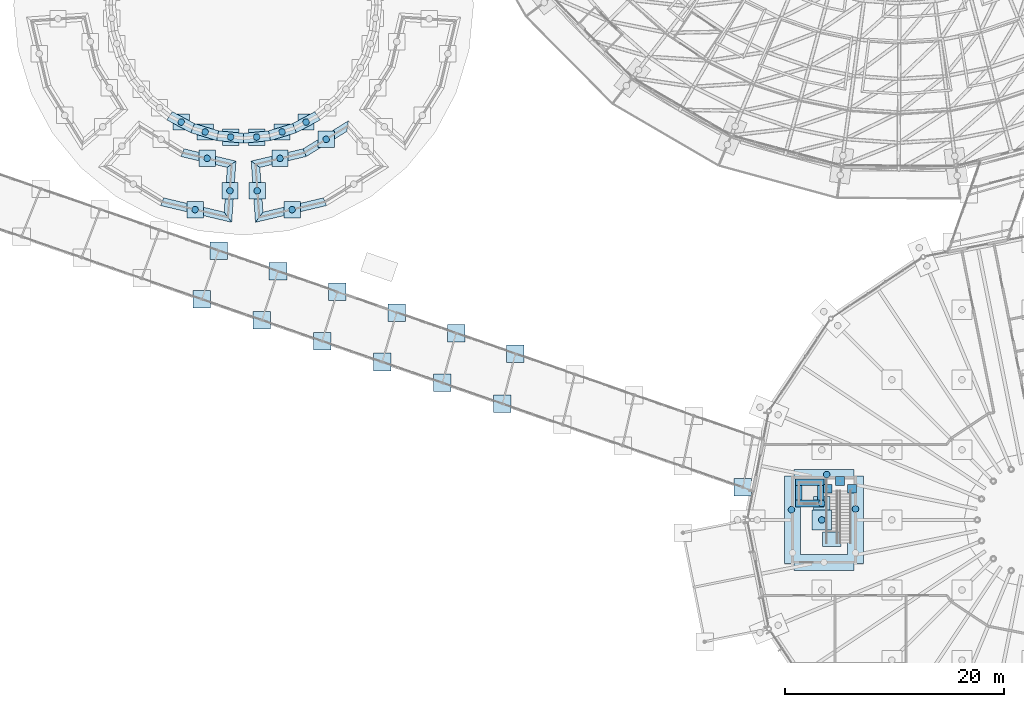
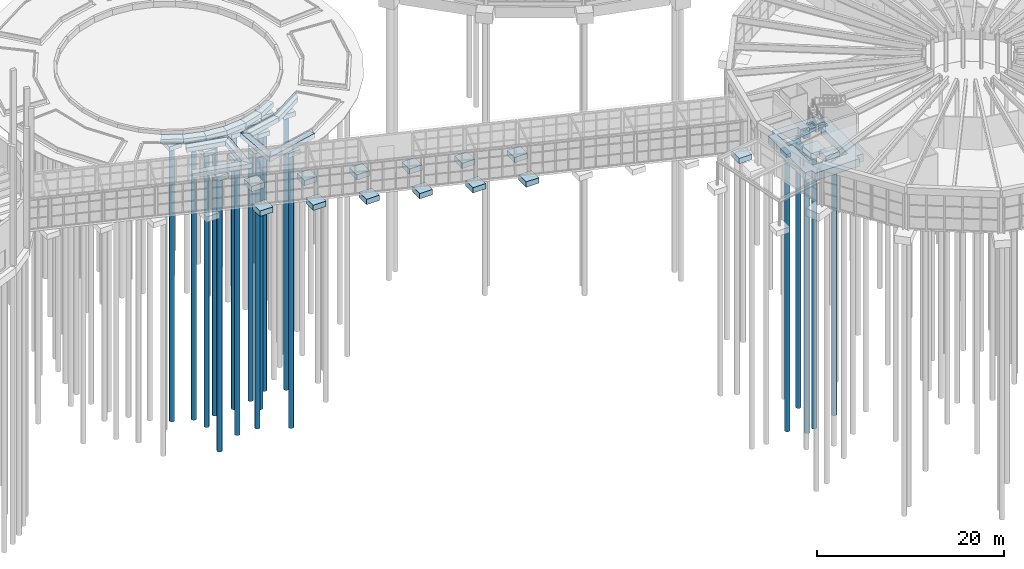
# One storey, part 2 of 226: 50 footings, 18 piles.
"""IFC4 building model written with IfcOpenShell, lengths in metres."""

import ifcopenshell
import ifcopenshell.guid

model = None  # the IFC model being written
_history = None  # IfcOwnerHistory: only IFC2X3 demands one
_inside = {}  # id of a spatial element -> (the spatial element, [elements in it])
_under = {}  # id of a project, library or spatial element -> (it, [spatial elements below it])
_declared = {}  # id of a project -> (the project, [libraries it declares])
_typed = {}  # id of a type object -> (the type object, [elements of that type])
_made_of = {}  # id of a material, layer set ... -> (it, [elements and type objects made of it])


def new_model(schema):
    """Start an empty IFC model of exactly this schema.

    Asked for "IFC4X3", IfcOpenShell would pick the latest addendum, in which some entities
    have other attributes; the version numbers below select the first issue.
    IFC2X3 requires an IfcOwnerHistory on every rooted entity: one is made here for all.
    """
    global model, _history
    if schema == "IFC4X3":
        model = ifcopenshell.file(schema_version=(4, 3, 0, 0))
    else:
        model = ifcopenshell.file(schema=schema)
    _inside.clear()
    _under.clear()
    _declared.clear()
    _typed.clear()
    _made_of.clear()
    _history = None
    if model.schema == "IFC2X3":
        org = make("IfcOrganization", Name="unknown")
        user = make(
            "IfcPersonAndOrganization",
            ThePerson=make("IfcPerson", FamilyName="unknown"),
            TheOrganization=org,
        )
        app = make(
            "IfcApplication",
            ApplicationDeveloper=org,
            Version="unknown",
            ApplicationFullName="unknown",
            ApplicationIdentifier="unknown",
        )
        _history = make(
            "IfcOwnerHistory",
            OwningUser=user,
            OwningApplication=app,
            ChangeAction="ADDED",
            CreationDate=0,
        )
    return model


def make(cls, **values):
    """One entity of the class cls with the attributes given. An attribute that is None is left unset."""
    return model.create_entity(
        cls, **{name: value for name, value in values.items() if value is not None}
    )


def rooted(cls, **values):
    """An entity with a GlobalId (a new one), such as an element, a storey or a relation."""
    return make(cls, GlobalId=ifcopenshell.guid.new(), OwnerHistory=_history, **values)


def si_unit(unit_type, name, prefix=None):
    """IfcSIUnit, for example si_unit("LENGTHUNIT", "METRE", prefix="MILLI")."""
    return make("IfcSIUnit", UnitType=unit_type, Prefix=prefix, Name=name)


def assignment(units):
    """IfcUnitAssignment: the units of a project."""
    return None if units is None else make("IfcUnitAssignment", Units=units)


def point(xyz):
    """IfcCartesianPoint."""
    return None if xyz is None else make("IfcCartesianPoint", Coordinates=xyz)


def direction(xyz):
    """IfcDirection."""
    return None if xyz is None else make("IfcDirection", DirectionRatios=xyz)


def frame(location, z_axis=None, x_axis=None):
    """IfcAxis2Placement3D, a coordinate frame: its origin and axes. An axis left out is left unset."""
    return make(
        "IfcAxis2Placement3D",
        Location=point(location),
        Axis=direction(z_axis),
        RefDirection=direction(x_axis),
    )


def frame_2d(location, x_axis=None):
    """IfcAxis2Placement2D, a coordinate frame in the plane: its origin and x axis."""
    return make(
        "IfcAxis2Placement2D", Location=point(location), RefDirection=direction(x_axis)
    )


def origin():
    """The frame at (0, 0, 0) with its axes left unset."""
    return frame((0.0, 0.0, 0.0))


def origin_2d():
    """The frame at (0, 0) in the plane with its x axis left unset."""
    return frame_2d((0.0, 0.0))


def place(relative_to, where):
    """IfcLocalPlacement: puts the frame where relative to a parent placement (None: the world)."""
    return make(
        "IfcLocalPlacement", PlacementRelTo=relative_to, RelativePlacement=where
    )


def context(
    kind, dimensions, precision=None, world=None, true_north=None, identifier=None
):
    """IfcGeometricRepresentationContext, for example the 3D "Model" context."""
    return make(
        "IfcGeometricRepresentationContext",
        ContextIdentifier=identifier,
        ContextType=kind,
        CoordinateSpaceDimension=dimensions,
        Precision=precision,
        WorldCoordinateSystem=world,
        TrueNorth=true_north,
    )


def subcontext(parent, identifier, kind, view, scale=None):
    """IfcGeometricRepresentationSubContext, for example "Body" below "Model"."""
    return make(
        "IfcGeometricRepresentationSubContext",
        ContextIdentifier=identifier,
        ContextType=kind,
        ParentContext=parent,
        TargetScale=scale,
        TargetView=view,
    )


def project(units=None, contexts=None):
    """IfcProject with its units and contexts."""
    return rooted(
        "IfcProject",
        Name="project",
        RepresentationContexts=contexts,
        UnitsInContext=assignment(units),
    )


def spatial(cls, under=None, at=None, **own):
    """A site, building, storey or space (cls), placed at a placement, below another one or the project."""
    s = rooted(cls, ObjectPlacement=at, **own)
    if under is not None:
        _under.setdefault(under.id(), (under, []))[1].append(s)
    return s


def polyline(points):
    """IfcPolyline through the points."""
    return make("IfcPolyline", Points=[point(p) for p in points])


def profile(cls, at=None, kind="AREA", **sizes):
    """A parametric profile (cls). Its sizes go by their IFC names, for example OverallWidth=200.0."""
    return make(cls, ProfileType=kind, Position=at, **sizes)


def circle(**sizes):
    """IfcCircleProfileDef."""
    return profile("IfcCircleProfileDef", **sizes)


def outline(outer, holes=None, kind="AREA"):
    """IfcArbitraryClosedProfileDef: a profile drawn as a closed curve; with holes, ...WithVoids."""
    if holes is None:
        return make("IfcArbitraryClosedProfileDef", ProfileType=kind, OuterCurve=outer)
    return make(
        "IfcArbitraryProfileDefWithVoids",
        ProfileType=kind,
        OuterCurve=outer,
        InnerCurves=holes,
    )


def extrude(swept, where, along, depth):
    """IfcExtrudedAreaSolid: the profile swept, set in the frame where, extruded along a direction by depth."""
    return make(
        "IfcExtrudedAreaSolid",
        SweptArea=swept,
        Position=where,
        ExtrudedDirection=direction(along),
        Depth=depth,
    )


def shape(context_of_items, identifier, shape_type, items):
    """IfcShapeRepresentation: the items that make up one representation, for example the "Body"."""
    return make(
        "IfcShapeRepresentation",
        ContextOfItems=context_of_items,
        RepresentationIdentifier=identifier,
        RepresentationType=shape_type,
        Items=items,
    )


def material(Name=None, Category=None):
    """IfcMaterial."""
    return make("IfcMaterial", Name=Name, Category=Category)


def layer(
    of_material, thickness, ventilated=None, Name=None, Category=None, Priority=None
):
    """IfcMaterialLayer: one layer of a wall or slab, of a material (None: an air gap)."""
    return make(
        "IfcMaterialLayer",
        Material=of_material,
        LayerThickness=thickness,
        IsVentilated=ventilated,
        Name=Name,
        Category=Category,
        Priority=Priority,
    )


def layer_set(layers, Name=None):
    """IfcMaterialLayerSet."""
    return make("IfcMaterialLayerSet", MaterialLayers=layers, LayerSetName=Name)


def material_profile(
    of_material, cross_section, Name=None, Category=None, Priority=None
):
    """IfcMaterialProfile: a cross section and its material."""
    return make(
        "IfcMaterialProfile",
        Name=Name,
        Material=of_material,
        Profile=cross_section,
        Priority=Priority,
        Category=Category,
    )


def profile_set(profiles, Name=None, composite=None):
    """IfcMaterialProfileSet."""
    return make(
        "IfcMaterialProfileSet",
        Name=Name,
        MaterialProfiles=profiles,
        CompositeProfile=composite,
    )


def made_of(thing, what):
    """Note that an element or type object is made of a material, layer set ...; save() writes the relation."""
    if what is not None:
        _made_of.setdefault(what.id(), (what, []))[1].append(thing)
    return thing


def type_object(cls, material=None, **own):
    """A type object (cls), such as IfcWallType, which elements share."""
    return made_of(rooted(cls, **own), material)


def element(
    cls,
    number,
    at=None,
    inside=None,
    cuts=None,
    type_object=None,
    material=None,
    context=None,
    identifier="Body",
    shape_type=None,
    held_by="IfcProductDefinitionShape",
    body=None,
    shapes=None,
    **own,
):
    """One element of the class cls, such as IfcWall. Its Tag is "e" and its number.

    at: its placement. inside: the storey or other place that contains it. cuts: it is an
    opening in that element (IfcRelVoidsElement). A single representation is given by context,
    identifier, shape_type and body (its items); several are given by shapes. held_by: the class
    of the entity that holds the representations. save() writes the other relations.
    """
    e = rooted(cls, Tag="e%d" % number, ObjectPlacement=at, **own)
    if body is not None:
        shapes = [shape(context, identifier, shape_type, body)]
    if shapes is not None:
        e.Representation = make(held_by, Representations=shapes)
    if inside is not None:
        _inside.setdefault(inside.id(), (inside, []))[1].append(e)
    if cuts is not None:
        rooted(
            "IfcRelVoidsElement", RelatingBuildingElement=cuts, RelatedOpeningElement=e
        )
    if type_object is not None:
        _typed.setdefault(type_object.id(), (type_object, []))[1].append(e)
    return made_of(e, material)


def aggregate(whole, parts):
    """IfcRelAggregates: a whole, such as a stair, and the parts it consists of."""
    return rooted("IfcRelAggregates", RelatingObject=whole, RelatedObjects=parts)


def save(model, path):
    """Write the relations noted so far, then the file.

    IfcRelAggregates (storeys below a building ...), IfcRelContainedInSpatialStructure (elements
    in a storey), IfcRelDefinesByType, IfcRelAssociatesMaterial and IfcRelDeclares: one each for
    every whole, place, type object, material and project.
    """
    for whole, parts in _under.values():
        aggregate(whole, parts)
    for where, things in _inside.values():
        rooted(
            "IfcRelContainedInSpatialStructure",
            RelatedElements=things,
            RelatingStructure=where,
        )
    for kind, things in _typed.values():
        rooted("IfcRelDefinesByType", RelatedObjects=things, RelatingType=kind)
    for what, things in _made_of.values():
        rooted("IfcRelAssociatesMaterial", RelatedObjects=things, RelatingMaterial=what)
    for by, libraries in _declared.values():
        rooted("IfcRelDeclares", RelatingContext=by, RelatedDefinitions=libraries)
    model.write(path)


model = new_model("IFC4")

# Units and contexts
model_context = context("Model", 3, precision=1e-05, world=origin(), true_north=direction((0.0, 1.0)))
body_context = subcontext(model_context, "Body", "Model", "MODEL_VIEW")
ifc_project = project(units=[si_unit("LENGTHUNIT", "METRE"), si_unit("AREAUNIT", "SQUARE_METRE"), si_unit("VOLUMEUNIT", "CUBIC_METRE"), si_unit("PLANEANGLEUNIT", "RADIAN"), si_unit("MASSUNIT", "GRAM", prefix="KILO")], contexts=[model_context])

# Site, building, storey
site_placement = place(None, origin())
site = spatial("IfcSite", under=ifc_project, at=site_placement, CompositionType="ELEMENT")
building_placement = place(site_placement, origin())
building = spatial("IfcBuilding", under=site, at=building_placement, Name="Ceibo Conservatory and Research Tower", CompositionType="ELEMENT")
storey_placement = place(building_placement, origin())
storey = spatial("IfcBuildingStorey", under=building, at=storey_placement, Name="L00", CompositionType="ELEMENT", Elevation=0.0)

# Piles
ifc_material_1 = material(Name="Concrete C35/45", Category="concrete")
ifc_material_profile = material_profile(ifc_material_1, circle(Radius=0.300048828125, at=origin_2d()), Name="RC D600")
ifc_profile_set = profile_set([ifc_material_profile], Name="Concrete C35/45")
pile_type = type_object("IfcPileType", Name="Bored pile D600", PredefinedType="BORED", material=ifc_profile_set)
for number, where, z_axis, x_axis, name in (
    (1, (148.800048828125, 36.0, -0.949951171875), (0.0, 0.0, -1.0), (1.0, 0.0, 0.0), "Pile VC.CAP.FLOOR.15 01"),
    (2, (151.875, 37.0, -0.89990234375), (0.0, 0.0, -1.0), (1.0, 0.0, 0.0), "Pile VC.STRIP.E.J 02"),
    (3, (146.029052734375, 36.9287109375, -0.89990234375), (0.0, 0.0, -1.0), (1.0, 0.0, 0.0), "Pile VC.STRIP.E.J 04"),
    (4, (149.242919921875, 40.139892578125, -0.89990234375), (0.0, 0.0, -1.0), (1.0, 0.0, 0.0), "Pile VC.STRIP.E.J 06"),
    (5, (90.2978515625, 72.33203125, -1.550048828125), (0.0, 0.0, -1.0), (1.0, 0.0, 0.0), "Pile CARRY.SITE.STRIP.COURT.BASIN.KERB.F22 01"),
    (6, (92.488525390625, 71.424560546875, -1.550048828125), (0.0, 0.0, -1.0), (1.0, 0.0, 0.0), "Pile CARRY.SITE.STRIP.COURT.BASIN.KERB.F23 01"),
    (7, (94.814453125, 70.9619140625, -1.550048828125), (0.0, 0.0, -1.0), (1.0, 0.0, 0.0), "Pile CARRY.SITE.STRIP.COURT.BASIN.KERB.F24 01"),
    (8, (97.185546875, 70.9619140625, -1.550048828125), (0.0, 0.0, -1.0), (1.0, 0.0, 0.0), "Pile CARRY.SITE.STRIP.COURT.BASIN.KERB.F25 01"),
    (9, (99.511474609375, 71.424560546875, -1.550048828125), (0.0, 0.0, -1.0), (1.0, 0.0, 0.0), "Pile CARRY.SITE.STRIP.COURT.BASIN.KERB.F26 01"),
    (10, (101.7021484375, 72.33203125, -1.550048828125), (0.0, 0.0, -1.0), (1.0, 0.0, 0.0), "Pile CARRY.SITE.STRIP.COURT.BASIN.KERB.F27 01"),
    (11, (91.571533203125, 64.336669921875, -1.10009765625), (0.0, 0.0, -1.0), (1.0, 0.0, 0.0), "Pile CARRY.SITE.STRIP.COURT.PB6.KERB.F03 01"),
    (12, (94.759521484375, 66.05419921875, -1.10009765625), (0.0, 0.0, -1.0), (1.0, 0.0, 0.0), "Pile CARRY.SITE.STRIP.COURT.PB6.KERB.F04 01"),
    (13, (92.670654296875, 69.01123046875, -1.10009765625), (0.0, 0.0, -1.0), (1.0, 0.0, 0.0), "Pile CARRY.SITE.STRIP.COURT.PB6.KERB.F05 01"),
    (14, (97.240478515625, 66.05419921875, -1.10009765625), (0.0, 0.0, -1.0), (1.0, 0.0, 0.0), "Pile CARRY.SITE.STRIP.COURT.PB7.KERB.F01 01"),
    (15, (100.428466796875, 64.336669921875, -1.10009765625), (0.0, 0.0, -1.0), (1.0, 0.0, 0.0), "Pile CARRY.SITE.STRIP.COURT.PB7.KERB.F02 01"),
    (16, (103.537353515625, 70.754150390625, -1.10009765625), (0.0, 0.0, -1.0), (1.0, 0.0, 0.0), "Pile CARRY.SITE.STRIP.COURT.PB7.KERB.F05 01"),
    (17, (99.329345703125, 69.01123046875, -1.10009765625), (0.0, 0.0, -1.0), (1.0, 0.0, 0.0), "Pile CARRY.SITE.STRIP.COURT.PB7.KERB.F06 01"),
    (18, (148.785888671875, 37.510009765625, -2.449951171875), (0.0, 0.0, -1.0), (1.0, 0.0, 0.0), "Pile CARRY.VC.LFT.L00.C3 01"),
):
    element("IfcPile", number, at=place(storey_placement, frame(where, z_axis=z_axis, x_axis=x_axis)), inside=storey, type_object=pile_type, Name=name, PredefinedType="BORED", context=body_context, shape_type="SweptSolid", body=[
        extrude(circle(Radius=0.300048828125, at=origin_2d()), origin(), (0.0, 0.0, 1.0), 36.0),
    ])

# Footings
ifc_material_2 = material(Name="Concrete C40/50", Category="concrete")
ifc_layer_1 = layer(ifc_material_2, 0.5)
ifc_layer_set_1 = layer_set([ifc_layer_1], Name="Concrete C40/50")
footing_type_1 = type_object("IfcFootingType", Name="Lift pit strip footing 500", PredefinedType="STRIP_FOOTING", material=ifc_layer_set_1)
footing_1_placement = place(storey_placement, frame((0.0, 0.0, -1.949951171875)))
element("IfcFooting", 19, at=footing_1_placement, inside=storey, type_object=footing_type_1, Name="Lift pit footing 1", PredefinedType="STRIP_FOOTING", context=body_context, shape_type="SweptSolid", body=[
    extrude(outline(polyline([(146.39990234375, 39.75), (146.39990234375, 39.14990234375), (149.0, 39.14990234375), (149.0, 39.75), (146.39990234375, 39.75)])), origin(), (0.0, 0.0, 1.0), 0.5),
])
footing_2_placement = place(storey_placement, frame((0.0, 0.0, -1.949951171875)))
element("IfcFooting", 20, at=footing_2_placement, inside=storey, type_object=footing_type_1, Name="Lift pit footing 2", PredefinedType="STRIP_FOOTING", context=body_context, shape_type="SweptSolid", body=[
    extrude(outline(polyline([(146.39990234375, 37.800048828125), (146.39990234375, 37.199951171875), (149.0, 37.199951171875), (149.0, 37.800048828125), (146.39990234375, 37.800048828125)])), origin(), (0.0, 0.0, 1.0), 0.5),
])
footing_3_placement = place(storey_placement, frame((0.0, 0.0, -1.949951171875)))
element("IfcFooting", 21, at=footing_3_placement, inside=storey, type_object=footing_type_1, Name="Lift pit footing 3", PredefinedType="STRIP_FOOTING", context=body_context, shape_type="SweptSolid", body=[
    extrude(outline(polyline([(146.39990234375, 39.14990234375), (146.39990234375, 37.800048828125), (147.0, 37.800048828125), (147.0, 39.14990234375), (146.39990234375, 39.14990234375)])), origin(), (0.0, 0.0, 1.0), 0.5),
])
footing_4_placement = place(storey_placement, frame((0.0, 0.0, -1.949951171875)))
element("IfcFooting", 22, at=footing_4_placement, inside=storey, type_object=footing_type_1, Name="Lift pit footing 4", PredefinedType="STRIP_FOOTING", context=body_context, shape_type="SweptSolid", body=[
    extrude(outline(polyline([(148.39990234375, 39.14990234375), (148.39990234375, 37.800048828125), (149.0, 37.800048828125), (149.0, 39.14990234375), (148.39990234375, 39.14990234375)])), origin(), (0.0, 0.0, 1.0), 0.5),
])
ifc_layer_2 = layer(ifc_material_2, 0.699951171875)
ifc_layer_set_2 = layer_set([ifc_layer_2], Name="Concrete C40/50")
footing_type_2 = type_object("IfcFootingType", Name="Pad footing 1600x1600x700", PredefinedType="PAD_FOOTING", material=ifc_layer_set_2)
footing_5_placement = place(storey_placement, frame((0.0, 0.0, -0.949951171875)))
element("IfcFooting", 23, at=footing_5_placement, inside=storey, type_object=footing_type_2, Name="Pad footing GAL.CAP.L00.AUD-VC.N05", PredefinedType="PAD_FOOTING", context=body_context, shape_type="SweptSolid", body=[
    extrude(outline(polyline([(92.922607421875, 59.78515625), (94.5224609375, 59.78515625), (94.5224609375, 61.38525390625), (92.922607421875, 61.38525390625), (92.922607421875, 59.78515625)])), origin(), (0.0, 0.0, 1.0), 0.699951171875),
])
footing_6_placement = place(storey_placement, frame((0.0, 0.0, -0.949951171875)))
element("IfcFooting", 24, at=footing_6_placement, inside=storey, type_object=footing_type_2, Name="Pad footing GAL.CAP.L00.AUD-VC.S05", PredefinedType="PAD_FOOTING", context=body_context, shape_type="SweptSolid", body=[
    extrude(outline(polyline([(91.387451171875, 55.343017578125), (92.987548828125, 55.343017578125), (92.987548828125, 56.943115234375), (91.387451171875, 56.943115234375), (91.387451171875, 55.343017578125)])), origin(), (0.0, 0.0, 1.0), 0.699951171875),
])
footing_7_placement = place(storey_placement, frame((0.0, 0.0, -0.949951171875)))
element("IfcFooting", 25, at=footing_7_placement, inside=storey, type_object=footing_type_2, Name="Pad footing GAL.CAP.L00.AUD-VC.N06", PredefinedType="PAD_FOOTING", context=body_context, shape_type="SweptSolid", body=[
    extrude(outline(polyline([(98.343017578125, 57.9013671875), (99.943115234375, 57.9013671875), (99.943115234375, 59.50146484375), (98.343017578125, 59.50146484375), (98.343017578125, 57.9013671875)])), origin(), (0.0, 0.0, 1.0), 0.699951171875),
])
footing_8_placement = place(storey_placement, frame((0.0, 0.0, -0.949951171875)))
element("IfcFooting", 26, at=footing_8_placement, inside=storey, type_object=footing_type_2, Name="Pad footing GAL.CAP.L00.AUD-VC.S06", PredefinedType="PAD_FOOTING", context=body_context, shape_type="SweptSolid", body=[
    extrude(outline(polyline([(96.875732421875, 53.435546875), (98.475830078125, 53.435546875), (98.475830078125, 55.03564453125), (96.875732421875, 55.03564453125), (96.875732421875, 53.435546875)])), origin(), (0.0, 0.0, 1.0), 0.699951171875),
])
footing_9_placement = place(storey_placement, frame((0.0, 0.0, -0.949951171875)))
element("IfcFooting", 27, at=footing_9_placement, inside=storey, type_object=footing_type_2, Name="Pad footing GAL.CAP.L00.AUD-VC.N07", PredefinedType="PAD_FOOTING", context=body_context, shape_type="SweptSolid", body=[
    extrude(outline(polyline([(103.763671875, 56.017578125), (105.36376953125, 56.017578125), (105.36376953125, 57.617431640625), (103.763671875, 57.617431640625), (103.763671875, 56.017578125)])), origin(), (0.0, 0.0, 1.0), 0.699951171875),
])
footing_10_placement = place(storey_placement, frame((0.0, 0.0, -0.949951171875)))
element("IfcFooting", 28, at=footing_10_placement, inside=storey, type_object=footing_type_2, Name="Pad footing GAL.CAP.L00.AUD-VC.S07", PredefinedType="PAD_FOOTING", context=body_context, shape_type="SweptSolid", body=[
    extrude(outline(polyline([(102.364013671875, 51.528076171875), (103.964111328125, 51.528076171875), (103.964111328125, 53.128173828125), (102.364013671875, 53.128173828125), (102.364013671875, 51.528076171875)])), origin(), (0.0, 0.0, 1.0), 0.699951171875),
])
footing_11_placement = place(storey_placement, frame((0.0, 0.0, -0.949951171875)))
element("IfcFooting", 29, at=footing_11_placement, inside=storey, type_object=footing_type_2, Name="Pad footing GAL.CAP.L00.AUD-VC.N08", PredefinedType="PAD_FOOTING", context=body_context, shape_type="SweptSolid", body=[
    extrude(outline(polyline([(109.184326171875, 54.133544921875), (110.7841796875, 54.133544921875), (110.7841796875, 55.733642578125), (109.184326171875, 55.733642578125), (109.184326171875, 54.133544921875)])), origin(), (0.0, 0.0, 1.0), 0.699951171875),
])
footing_12_placement = place(storey_placement, frame((0.0, 0.0, -0.949951171875)))
element("IfcFooting", 30, at=footing_12_placement, inside=storey, type_object=footing_type_2, Name="Pad footing GAL.CAP.L00.AUD-VC.S08", PredefinedType="PAD_FOOTING", context=body_context, shape_type="SweptSolid", body=[
    extrude(outline(polyline([(107.852294921875, 49.62060546875), (109.452392578125, 49.62060546875), (109.452392578125, 51.220703125), (107.852294921875, 51.220703125), (107.852294921875, 49.62060546875)])), origin(), (0.0, 0.0, 1.0), 0.699951171875),
])
footing_13_placement = place(storey_placement, frame((0.0, 0.0, -0.949951171875)))
element("IfcFooting", 31, at=footing_13_placement, inside=storey, type_object=footing_type_2, Name="Pad footing GAL.CAP.L00.AUD-VC.N09", PredefinedType="PAD_FOOTING", context=body_context, shape_type="SweptSolid", body=[
    extrude(outline(polyline([(114.60498046875, 52.249755859375), (116.204833984375, 52.249755859375), (116.204833984375, 53.849609375), (114.60498046875, 53.849609375), (114.60498046875, 52.249755859375)])), origin(), (0.0, 0.0, 1.0), 0.699951171875),
])
footing_14_placement = place(storey_placement, frame((0.0, 0.0, -0.949951171875)))
element("IfcFooting", 32, at=footing_14_placement, inside=storey, type_object=footing_type_2, Name="Pad footing GAL.CAP.L00.AUD-VC.S09", PredefinedType="PAD_FOOTING", context=body_context, shape_type="SweptSolid", body=[
    extrude(outline(polyline([(113.340576171875, 47.71337890625), (114.940673828125, 47.71337890625), (114.940673828125, 49.313232421875), (113.340576171875, 49.313232421875), (113.340576171875, 47.71337890625)])), origin(), (0.0, 0.0, 1.0), 0.699951171875),
])
footing_15_placement = place(storey_placement, frame((0.0, 0.0, -0.949951171875)))
element("IfcFooting", 33, at=footing_15_placement, inside=storey, type_object=footing_type_2, Name="Pad footing GAL.CAP.L00.AUD-VC.N10", PredefinedType="PAD_FOOTING", context=body_context, shape_type="SweptSolid", body=[
    extrude(outline(polyline([(120.025390625, 50.36572265625), (121.62548828125, 50.36572265625), (121.62548828125, 51.9658203125), (120.025390625, 51.9658203125), (120.025390625, 50.36572265625)])), origin(), (0.0, 0.0, 1.0), 0.699951171875),
])
footing_16_placement = place(storey_placement, frame((0.0, 0.0, -0.949951171875)))
element("IfcFooting", 34, at=footing_16_placement, inside=storey, type_object=footing_type_2, Name="Pad footing GAL.CAP.L00.AUD-VC.S10", PredefinedType="PAD_FOOTING", context=body_context, shape_type="SweptSolid", body=[
    extrude(outline(polyline([(118.828857421875, 45.805908203125), (120.428955078125, 45.805908203125), (120.428955078125, 47.40576171875), (118.828857421875, 47.40576171875), (118.828857421875, 45.805908203125)])), origin(), (0.0, 0.0, 1.0), 0.699951171875),
])
footing_17_placement = place(storey_placement, frame((0.0, 0.0, -0.949951171875)))
element("IfcFooting", 35, at=footing_17_placement, inside=storey, type_object=footing_type_2, Name="Pad footing GAL.CAP.L00.AUD-VC.S14", PredefinedType="PAD_FOOTING", context=body_context, shape_type="SweptSolid", body=[
    extrude(outline(polyline([(140.7822265625, 38.17626953125), (142.382080078125, 38.17626953125), (142.382080078125, 39.776123046875), (140.7822265625, 39.776123046875), (140.7822265625, 38.17626953125)])), origin(), (0.0, 0.0, 1.0), 0.699951171875),
])
footing_18_placement = place(storey_placement, frame((0.0, 0.0, -0.699951171875)))
element("IfcFooting", 36, at=footing_18_placement, inside=storey, type_object=footing_type_2, Name="Pad footing LATE.VC.STAIR.FOOT.1", PredefinedType="PAD_FOOTING", context=body_context, shape_type="SweptSolid", body=[
    extrude(outline(polyline([(150.550048828125, 33.579833984375), (150.550048828125, 34.8798828125), (148.85009765625, 34.8798828125), (148.85009765625, 33.579833984375), (150.550048828125, 33.579833984375)])), origin(), (0.0, 0.0, 1.0), 0.699951171875),
])
ifc_layer_3 = layer(ifc_material_2, 0.60009765625)
ifc_layer_set_3 = layer_set([ifc_layer_3], Name="Concrete C40/50")
footing_type_3 = type_object("IfcFootingType", Name="Pile cap 1500x1500x600", PredefinedType="PILE_CAP", material=ifc_layer_set_3)
footing_19_placement = place(storey_placement, frame((0.0, 0.0, -1.64990234375)))
element("IfcFooting", 37, at=footing_19_placement, inside=storey, type_object=footing_type_3, Name="Pile cap CARRY.SITE.STRIP.COURT.BASIN.KERB.F22", PredefinedType="PILE_CAP", context=body_context, shape_type="SweptSolid", body=[
    extrude(outline(polyline([(91.0478515625, 71.58203125), (91.0478515625, 73.08203125), (89.5478515625, 73.08203125), (89.5478515625, 71.58203125), (91.0478515625, 71.58203125)])), origin(), (0.0, 0.0, 1.0), 0.599853515625),
])
footing_20_placement = place(storey_placement, frame((0.0, 0.0, -1.64990234375)))
element("IfcFooting", 38, at=footing_20_placement, inside=storey, type_object=footing_type_3, Name="Pile cap CARRY.SITE.STRIP.COURT.BASIN.KERB.F23", PredefinedType="PILE_CAP", context=body_context, shape_type="SweptSolid", body=[
    extrude(outline(polyline([(93.238525390625, 70.674560546875), (93.238525390625, 72.174560546875), (91.738525390625, 72.174560546875), (91.738525390625, 70.674560546875), (93.238525390625, 70.674560546875)])), origin(), (0.0, 0.0, 1.0), 0.599853515625),
])
footing_21_placement = place(storey_placement, frame((0.0, 0.0, -1.64990234375)))
element("IfcFooting", 39, at=footing_21_placement, inside=storey, type_object=footing_type_3, Name="Pile cap CARRY.SITE.STRIP.COURT.BASIN.KERB.F24", PredefinedType="PILE_CAP", context=body_context, shape_type="SweptSolid", body=[
    extrude(outline(polyline([(95.564453125, 70.2119140625), (95.564453125, 71.7119140625), (94.064453125, 71.7119140625), (94.064453125, 70.2119140625), (95.564453125, 70.2119140625)])), origin(), (0.0, 0.0, 1.0), 0.599853515625),
])
footing_22_placement = place(storey_placement, frame((0.0, 0.0, -1.64990234375)))
element("IfcFooting", 40, at=footing_22_placement, inside=storey, type_object=footing_type_3, Name="Pile cap CARRY.SITE.STRIP.COURT.BASIN.KERB.F25", PredefinedType="PILE_CAP", context=body_context, shape_type="SweptSolid", body=[
    extrude(outline(polyline([(97.935546875, 70.2119140625), (97.935546875, 71.7119140625), (96.435546875, 71.7119140625), (96.435546875, 70.2119140625), (97.935546875, 70.2119140625)])), origin(), (0.0, 0.0, 1.0), 0.599853515625),
])
footing_23_placement = place(storey_placement, frame((0.0, 0.0, -1.64990234375)))
element("IfcFooting", 41, at=footing_23_placement, inside=storey, type_object=footing_type_3, Name="Pile cap CARRY.SITE.STRIP.COURT.BASIN.KERB.F26", PredefinedType="PILE_CAP", context=body_context, shape_type="SweptSolid", body=[
    extrude(outline(polyline([(100.261474609375, 70.674560546875), (100.261474609375, 72.174560546875), (98.761474609375, 72.174560546875), (98.761474609375, 70.674560546875), (100.261474609375, 70.674560546875)])), origin(), (0.0, 0.0, 1.0), 0.599853515625),
])
footing_24_placement = place(storey_placement, frame((0.0, 0.0, -1.64990234375)))
element("IfcFooting", 42, at=footing_24_placement, inside=storey, type_object=footing_type_3, Name="Pile cap CARRY.SITE.STRIP.COURT.BASIN.KERB.F27", PredefinedType="PILE_CAP", context=body_context, shape_type="SweptSolid", body=[
    extrude(outline(polyline([(102.4521484375, 71.58203125), (102.4521484375, 73.08203125), (100.9521484375, 73.08203125), (100.9521484375, 71.58203125), (102.4521484375, 71.58203125)])), origin(), (0.0, 0.0, 1.0), 0.599853515625),
])
footing_25_placement = place(storey_placement, frame((0.0, 0.0, -1.199951171875)))
element("IfcFooting", 43, at=footing_25_placement, inside=storey, type_object=footing_type_3, Name="Pile cap CARRY.SITE.STRIP.COURT.PB6.KERB.F03", PredefinedType="PILE_CAP", context=body_context, shape_type="SweptSolid", body=[
    extrude(outline(polyline([(92.321533203125, 63.586669921875), (92.321533203125, 65.086669921875), (90.821533203125, 65.086669921875), (90.821533203125, 63.586669921875), (92.321533203125, 63.586669921875)])), origin(), (0.0, 0.0, 1.0), 0.599853515625),
])
footing_26_placement = place(storey_placement, frame((0.0, 0.0, -1.199951171875)))
element("IfcFooting", 44, at=footing_26_placement, inside=storey, type_object=footing_type_3, Name="Pile cap CARRY.SITE.STRIP.COURT.PB6.KERB.F04", PredefinedType="PILE_CAP", context=body_context, shape_type="SweptSolid", body=[
    extrude(outline(polyline([(95.509521484375, 65.30419921875), (95.509521484375, 66.80419921875), (94.009521484375, 66.80419921875), (94.009521484375, 65.30419921875), (95.509521484375, 65.30419921875)])), origin(), (0.0, 0.0, 1.0), 0.599853515625),
])
footing_27_placement = place(storey_placement, frame((0.0, 0.0, -1.199951171875)))
element("IfcFooting", 45, at=footing_27_placement, inside=storey, type_object=footing_type_3, Name="Pile cap CARRY.SITE.STRIP.COURT.PB6.KERB.F05", PredefinedType="PILE_CAP", context=body_context, shape_type="SweptSolid", body=[
    extrude(outline(polyline([(93.420654296875, 68.26123046875), (93.420654296875, 69.76123046875), (91.920654296875, 69.76123046875), (91.920654296875, 68.26123046875), (93.420654296875, 68.26123046875)])), origin(), (0.0, 0.0, 1.0), 0.599853515625),
])
footing_28_placement = place(storey_placement, frame((0.0, 0.0, -1.199951171875)))
element("IfcFooting", 46, at=footing_28_placement, inside=storey, type_object=footing_type_3, Name="Pile cap CARRY.SITE.STRIP.COURT.PB7.KERB.F01", PredefinedType="PILE_CAP", context=body_context, shape_type="SweptSolid", body=[
    extrude(outline(polyline([(97.990478515625, 65.30419921875), (97.990478515625, 66.80419921875), (96.490478515625, 66.80419921875), (96.490478515625, 65.30419921875), (97.990478515625, 65.30419921875)])), origin(), (0.0, 0.0, 1.0), 0.599853515625),
])
footing_29_placement = place(storey_placement, frame((0.0, 0.0, -1.199951171875)))
element("IfcFooting", 47, at=footing_29_placement, inside=storey, type_object=footing_type_3, Name="Pile cap CARRY.SITE.STRIP.COURT.PB7.KERB.F02", PredefinedType="PILE_CAP", context=body_context, shape_type="SweptSolid", body=[
    extrude(outline(polyline([(101.178466796875, 63.586669921875), (101.178466796875, 65.086669921875), (99.678466796875, 65.086669921875), (99.678466796875, 63.586669921875), (101.178466796875, 63.586669921875)])), origin(), (0.0, 0.0, 1.0), 0.599853515625),
])
footing_30_placement = place(storey_placement, frame((0.0, 0.0, -1.199951171875)))
element("IfcFooting", 48, at=footing_30_placement, inside=storey, type_object=footing_type_3, Name="Pile cap CARRY.SITE.STRIP.COURT.PB7.KERB.F05", PredefinedType="PILE_CAP", context=body_context, shape_type="SweptSolid", body=[
    extrude(outline(polyline([(104.287353515625, 70.004150390625), (104.287353515625, 71.504150390625), (102.787353515625, 71.504150390625), (102.787353515625, 70.004150390625), (104.287353515625, 70.004150390625)])), origin(), (0.0, 0.0, 1.0), 0.599853515625),
])
footing_31_placement = place(storey_placement, frame((0.0, 0.0, -1.199951171875)))
element("IfcFooting", 49, at=footing_31_placement, inside=storey, type_object=footing_type_3, Name="Pile cap CARRY.SITE.STRIP.COURT.PB7.KERB.F06", PredefinedType="PILE_CAP", context=body_context, shape_type="SweptSolid", body=[
    extrude(outline(polyline([(100.079345703125, 68.26123046875), (100.079345703125, 69.76123046875), (98.579345703125, 69.76123046875), (98.579345703125, 68.26123046875), (100.079345703125, 68.26123046875)])), origin(), (0.0, 0.0, 1.0), 0.599853515625),
])
footing_32_placement = place(storey_placement, frame((0.0, 0.0, -2.550048828125)))
element("IfcFooting", 50, at=footing_32_placement, inside=storey, type_object=footing_type_3, Name="Pile cap CARRY.VC.LFT.L00.C3", PredefinedType="PILE_CAP", context=body_context, shape_type="SweptSolid", body=[
    extrude(outline(polyline([(148.035888671875, 38.159912109375), (149.535888671875, 38.159912109375), (149.535888671875, 36.89990234375), (148.035888671875, 36.89990234375), (148.035888671875, 38.159912109375)])), origin(), (0.0, 0.0, 1.0), 0.60009765625),
])
ifc_layer_4 = layer(ifc_material_2, 0.800048828125)
ifc_layer_set_4 = layer_set([ifc_layer_4], Name="Concrete C40/50")
footing_type_4 = type_object("IfcFootingType", Name="Pile cap 1800x1800x800", PredefinedType="PILE_CAP", material=ifc_layer_set_4)
footing_33_placement = place(storey_placement, frame((0.0, 0.0, -1.050048828125)))
element("IfcFooting", 51, at=footing_33_placement, inside=storey, type_object=footing_type_4, Name="Pile cap VC.CAP.FLOOR.15", PredefinedType="PILE_CAP", context=body_context, shape_type="SweptSolid", body=[
    extrude(outline(polyline([(147.89990234375, 35.10009765625), (149.699951171875, 35.10009765625), (149.699951171875, 36.89990234375), (147.89990234375, 36.89990234375), (147.89990234375, 35.10009765625)])), origin(), (0.0, 0.0, 1.0), 0.800048828125),
])
ifc_layer_5 = layer(ifc_material_2, 1.0)
ifc_layer_set_5 = layer_set([ifc_layer_5], Name="Concrete C40/50")
footing_type_5 = type_object("IfcFootingType", Name="Pile cap combined 1000", PredefinedType="PILE_CAP", material=ifc_layer_set_5)
footing_34_placement = place(storey_placement, frame((0.0, 0.0, -1.0)))
element("IfcFooting", 52, at=footing_34_placement, inside=storey, type_object=footing_type_5, Name="Pile cap VC.STRIP.E.J", PredefinedType="PILE_CAP", context=body_context, shape_type="SweptSolid", body=[
    extrude(outline(polyline([(151.75, 31.39990234375), (151.75, 32.0), (152.60009765625, 32.0), (152.60009765625, 40.0), (151.75, 40.0), (151.75, 40.60009765625), (146.25, 40.60009765625), (146.25, 40.0), (145.39990234375, 40.0), (145.39990234375, 32.0), (146.25, 32.0), (146.25, 31.39990234375), (151.75, 31.39990234375)]), holes=[polyline([(146.39990234375, 39.75), (146.39990234375, 39.14990234375), (146.39990234375, 39.14990234375), (146.39990234375, 37.800048828125), (146.39990234375, 37.199951171875), (146.85009765625, 37.199951171875), (146.85009765625, 32.85009765625), (151.14990234375, 32.85009765625), (151.14990234375, 38.43994140625), (151.949951171875, 38.43994140625), (151.949951171875, 39.239990234375), (151.75, 39.239990234375), (151.14990234375, 39.239990234375), (151.14990234375, 39.239990234375), (151.14990234375, 39.14990234375), (150.85009765625, 39.14990234375), (150.85009765625, 39.949951171875), (150.050048828125, 39.949951171875), (150.050048828125, 39.14990234375), (149.75, 39.14990234375), (149.75, 39.239990234375), (149.0, 39.239990234375), (149.0, 39.75), (146.85009765625, 39.75), (146.39990234375, 39.75)])]), origin(), (0.0, 0.0, 1.0), 1.0),
])
ifc_layer_6 = layer(ifc_material_2, 0.5)
ifc_layer_set_6 = layer_set([ifc_layer_6], Name="Concrete C40/50")
footing_type_6 = type_object("IfcFootingType", Name="Stair post pad footing 800x800x500", PredefinedType="PAD_FOOTING", material=ifc_layer_set_6)
footing_35_placement = place(storey_placement, frame((0.0, 0.0, -0.75)))
element("IfcFooting", 53, at=footing_35_placement, inside=storey, type_object=footing_type_6, Name="Stair post footing 1", PredefinedType="PAD_FOOTING", context=body_context, shape_type="SweptSolid", body=[
    extrude(outline(polyline([(149.75, 38.43994140625), (149.75, 39.239990234375), (148.949951171875, 39.239990234375), (148.949951171875, 38.43994140625), (149.75, 38.43994140625)])), origin(), (0.0, 0.0, 1.0), 0.5),
])
footing_36_placement = place(storey_placement, frame((0.0, 0.0, -0.75)))
element("IfcFooting", 54, at=footing_36_placement, inside=storey, type_object=footing_type_6, Name="Stair post footing 2", PredefinedType="PAD_FOOTING", context=body_context, shape_type="SweptSolid", body=[
    extrude(outline(polyline([(151.949951171875, 38.43994140625), (151.949951171875, 39.239990234375), (151.14990234375, 39.239990234375), (151.14990234375, 38.43994140625), (151.949951171875, 38.43994140625)])), origin(), (0.0, 0.0, 1.0), 0.5),
])
footing_37_placement = place(storey_placement, frame((0.0, 0.0, -0.75)))
element("IfcFooting", 55, at=footing_37_placement, inside=storey, type_object=footing_type_6, Name="Stair post footing 3", PredefinedType="PAD_FOOTING", context=body_context, shape_type="SweptSolid", body=[
    extrude(outline(polyline([(150.85009765625, 39.14990234375), (150.85009765625, 39.949951171875), (150.050048828125, 39.949951171875), (150.050048828125, 39.14990234375), (150.85009765625, 39.14990234375)])), origin(), (0.0, 0.0, 1.0), 0.5),
])
ifc_layer_7 = layer(ifc_material_2, 0.60009765625)
ifc_layer_set_7 = layer_set([ifc_layer_7], Name="Concrete C40/50")
footing_type_7 = type_object("IfcFootingType", Name="Strip footing 750x600", PredefinedType="STRIP_FOOTING", material=ifc_layer_set_7)
footing_38_placement = place(storey_placement, frame((0.0, 0.0, -0.60009765625)))
element("IfcFooting", 56, at=footing_38_placement, inside=storey, type_object=footing_type_7, Name="Strip footing SITE.STRIP.COURT.PB6.KERB.F03", PredefinedType="STRIP_FOOTING", context=body_context, shape_type="SweptSolid", body=[
    extrude(outline(polyline([(88.42138671875, 64.70361328125), (94.914306640625, 63.174560546875), (94.227783203125, 64.10693359375), (88.712158203125, 65.405517578125), (88.42138671875, 64.70361328125)])), origin(), (0.0, 0.0, 1.0), 0.60009765625),
])
footing_39_placement = place(storey_placement, frame((0.0, 0.0, -0.60009765625)))
element("IfcFooting", 57, at=footing_39_placement, inside=storey, type_object=footing_type_7, Name="Strip footing SITE.STRIP.COURT.PB6.KERB.F04", PredefinedType="STRIP_FOOTING", context=body_context, shape_type="SweptSolid", body=[
    extrude(outline(polyline([(94.914306640625, 63.174560546875), (95.3056640625, 68.768798828125), (94.512939453125, 68.18505859375), (94.227783203125, 64.10693359375), (94.914306640625, 63.174560546875)])), origin(), (0.0, 0.0, 1.0), 0.60009765625),
])
footing_40_placement = place(storey_placement, frame((0.0, 0.0, -0.60009765625)))
element("IfcFooting", 58, at=footing_40_placement, inside=storey, type_object=footing_type_7, Name="Strip footing SITE.STRIP.COURT.PB6.KERB.F05", PredefinedType="STRIP_FOOTING", context=body_context, shape_type="SweptSolid", body=[
    extrude(outline(polyline([(95.3056640625, 68.768798828125), (90.5673828125, 69.884521484375), (90.276611328125, 69.1826171875), (94.512939453125, 68.18505859375), (95.3056640625, 68.768798828125)])), origin(), (0.0, 0.0, 1.0), 0.60009765625),
])
footing_41_placement = place(storey_placement, frame((0.0, 0.0, -0.60009765625)))
element("IfcFooting", 59, at=footing_41_placement, inside=storey, type_object=footing_type_7, Name="Strip footing SITE.STRIP.COURT.PB7.KERB.F01", PredefinedType="STRIP_FOOTING", context=body_context, shape_type="SweptSolid", body=[
    extrude(outline(polyline([(96.6943359375, 68.768798828125), (97.085693359375, 63.174560546875), (97.772216796875, 64.10693359375), (97.487060546875, 68.18505859375), (96.6943359375, 68.768798828125)])), origin(), (0.0, 0.0, 1.0), 0.60009765625),
])
footing_42_placement = place(storey_placement, frame((0.0, 0.0, -0.60009765625)))
element("IfcFooting", 60, at=footing_42_placement, inside=storey, type_object=footing_type_7, Name="Strip footing SITE.STRIP.COURT.PB7.KERB.F02", PredefinedType="STRIP_FOOTING", context=body_context, shape_type="SweptSolid", body=[
    extrude(outline(polyline([(97.085693359375, 63.174560546875), (103.57861328125, 64.70361328125), (103.287841796875, 65.405517578125), (97.772216796875, 64.10693359375), (97.085693359375, 63.174560546875)])), origin(), (0.0, 0.0, 1.0), 0.60009765625),
])
footing_43_placement = place(storey_placement, frame((0.0, 0.0, -0.60009765625)))
element("IfcFooting", 61, at=footing_43_placement, inside=storey, type_object=footing_type_7, Name="Strip footing SITE.STRIP.COURT.PB7.KERB.F05", PredefinedType="STRIP_FOOTING", context=body_context, shape_type="SweptSolid", body=[
    extrude(outline(polyline([(105.572021484375, 72.446044921875), (101.4326171875, 69.884521484375), (101.723388671875, 69.1826171875), (105.42431640625, 71.47265625), (105.572021484375, 72.446044921875)])), origin(), (0.0, 0.0, 1.0), 0.60009765625),
])
footing_44_placement = place(storey_placement, frame((0.0, 0.0, -0.60009765625)))
element("IfcFooting", 62, at=footing_44_placement, inside=storey, type_object=footing_type_7, Name="Strip footing SITE.STRIP.COURT.PB7.KERB.F06", PredefinedType="STRIP_FOOTING", context=body_context, shape_type="SweptSolid", body=[
    extrude(outline(polyline([(101.4326171875, 69.884521484375), (96.6943359375, 68.768798828125), (97.487060546875, 68.18505859375), (101.723388671875, 69.1826171875), (101.4326171875, 69.884521484375)])), origin(), (0.0, 0.0, 1.0), 0.60009765625),
])
ifc_layer_8 = layer(ifc_material_2, 0.60009765625)
ifc_layer_set_8 = layer_set([ifc_layer_8], Name="Concrete C40/50")
footing_type_8 = type_object("IfcFootingType", Name="Strip footing 900x600", PredefinedType="STRIP_FOOTING", material=ifc_layer_set_8)
footing_45_placement = place(storey_placement, frame((0.0, 0.0, -1.050048828125)))
element("IfcFooting", 63, at=footing_45_placement, inside=storey, type_object=footing_type_8, Name="Strip footing SITE.STRIP.COURT.BASIN.KERB.F22", PredefinedType="STRIP_FOOTING", context=body_context, shape_type="SweptSolid", body=[
    extrude(outline(polyline([(88.9990234375, 72.522216796875), (91.177734375, 71.357666015625), (91.523681640625, 72.193359375), (89.50146484375, 73.274169921875), (88.9990234375, 72.522216796875)])), origin(), (0.0, 0.0, 1.0), 0.60009765625),
])
footing_46_placement = place(storey_placement, frame((0.0, 0.0, -1.050048828125)))
element("IfcFooting", 64, at=footing_46_placement, inside=storey, type_object=footing_type_8, Name="Strip footing SITE.STRIP.COURT.BASIN.KERB.F23", PredefinedType="STRIP_FOOTING", context=body_context, shape_type="SweptSolid", body=[
    extrude(outline(polyline([(91.177734375, 71.357666015625), (93.54150390625, 70.640625), (93.718017578125, 71.527587890625), (91.523681640625, 72.193359375), (91.177734375, 71.357666015625)])), origin(), (0.0, 0.0, 1.0), 0.60009765625),
])
footing_47_placement = place(storey_placement, frame((0.0, 0.0, -1.050048828125)))
element("IfcFooting", 65, at=footing_47_placement, inside=storey, type_object=footing_type_8, Name="Strip footing SITE.STRIP.COURT.BASIN.KERB.F24", PredefinedType="STRIP_FOOTING", context=body_context, shape_type="SweptSolid", body=[
    extrude(outline(polyline([(93.54150390625, 70.640625), (96.0, 70.3984375), (96.0, 71.302978515625), (93.718017578125, 71.527587890625), (93.54150390625, 70.640625)])), origin(), (0.0, 0.0, 1.0), 0.60009765625),
])
footing_48_placement = place(storey_placement, frame((0.0, 0.0, -1.050048828125)))
element("IfcFooting", 66, at=footing_48_placement, inside=storey, type_object=footing_type_8, Name="Strip footing SITE.STRIP.COURT.BASIN.KERB.F25", PredefinedType="STRIP_FOOTING", context=body_context, shape_type="SweptSolid", body=[
    extrude(outline(polyline([(96.0, 70.3984375), (98.45849609375, 70.640625), (98.281982421875, 71.527587890625), (96.0, 71.302978515625), (96.0, 70.3984375)])), origin(), (0.0, 0.0, 1.0), 0.60009765625),
])
footing_49_placement = place(storey_placement, frame((0.0, 0.0, -1.050048828125)))
element("IfcFooting", 67, at=footing_49_placement, inside=storey, type_object=footing_type_8, Name="Strip footing SITE.STRIP.COURT.BASIN.KERB.F26", PredefinedType="STRIP_FOOTING", context=body_context, shape_type="SweptSolid", body=[
    extrude(outline(polyline([(98.45849609375, 70.640625), (100.822265625, 71.357666015625), (100.476318359375, 72.193359375), (98.281982421875, 71.527587890625), (98.45849609375, 70.640625)])), origin(), (0.0, 0.0, 1.0), 0.60009765625),
])
footing_50_placement = place(storey_placement, frame((0.0, 0.0, -1.050048828125)))
element("IfcFooting", 68, at=footing_50_placement, inside=storey, type_object=footing_type_8, Name="Strip footing SITE.STRIP.COURT.BASIN.KERB.F27", PredefinedType="STRIP_FOOTING", context=body_context, shape_type="SweptSolid", body=[
    extrude(outline(polyline([(100.822265625, 71.357666015625), (103.0009765625, 72.522216796875), (102.49853515625, 73.274169921875), (100.476318359375, 72.193359375), (100.822265625, 71.357666015625)])), origin(), (0.0, 0.0, 1.0), 0.60009765625),
])

save(model, "model.ifc")
